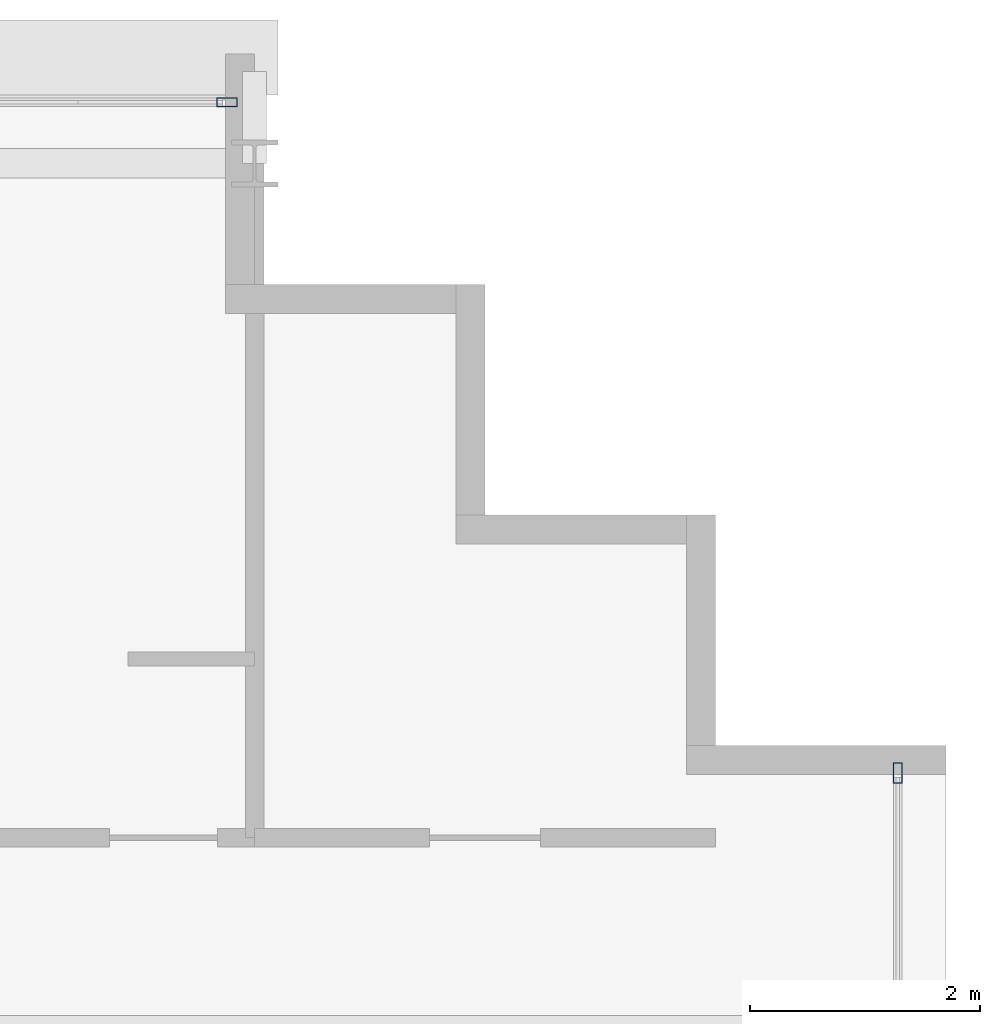
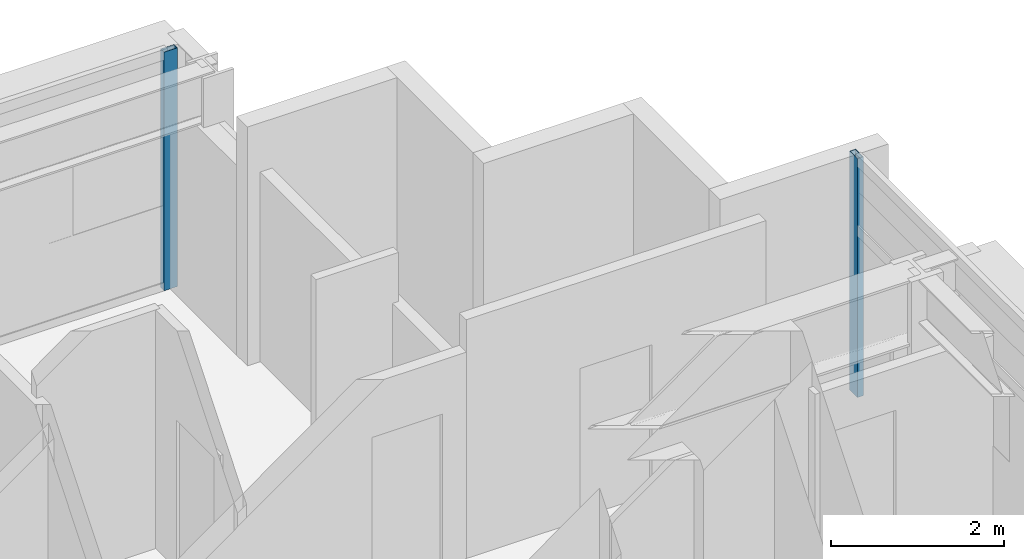
# One storey, part 19 of 31: 2 members, 2 elements without a shape of their own.
"""IFC4 building model written with IfcOpenShell, lengths in metres."""

from ifc_helpers import new_model, si_unit, direction, frame, origin, origin_2d, place, context, subcontext, project, spatial, hollow_rectangle, extrude, source, transform, mapped, material, layer, layer_set, material_profile, profile_set, type_object, element, aggregate, save


model = new_model("IFC4")

# Units and contexts
model_context = context("Model", 3, precision=1e-05, world=origin(), true_north=direction((0.0, 1.0)))
body_context = subcontext(model_context, "Body", "Model", "MODEL_VIEW")
ifc_project = project(units=[si_unit("LENGTHUNIT", "METRE"), si_unit("AREAUNIT", "SQUARE_METRE"), si_unit("VOLUMEUNIT", "CUBIC_METRE"), si_unit("PLANEANGLEUNIT", "RADIAN"), si_unit("MASSUNIT", "GRAM", prefix="KILO")], contexts=[model_context])

# Site, building, storey
site_placement = place(None, origin())
site = spatial("IfcSite", under=ifc_project, at=site_placement, CompositionType="ELEMENT")
building_placement = place(site_placement, origin())
building = spatial("IfcBuilding", under=site, at=building_placement, Name="Ocotamira Hotel", CompositionType="ELEMENT")
storey_placement = place(building_placement, frame((0.0, 0.0, 174.0)))
storey = spatial("IfcBuildingStorey", under=building, at=storey_placement, Name="L43", CompositionType="ELEMENT", Elevation=174.0)

# Curtain wall, member
ifc_material_1 = material(Name="Anodised pale-metal aluminium and solar glass", Category="aluminium")
ifc_layer = layer(ifc_material_1, 0.199951171875)
ifc_layer_set = layer_set([ifc_layer], Name="Anodised pale-metal aluminium and solar glass")
curtain_wall_type = type_object("IfcCurtainWallType", Name="CW-SYS4-Z3", PredefinedType="NOTDEFINED", material=ifc_layer_set)
curtain_wall_1_placement = place(storey_placement, origin())
curtain_wall_1 = element("IfcCurtainWall", 1, at=curtain_wall_1_placement, inside=storey, type_object=curtain_wall_type, Name="L43 Curtain Wall CW-4 CW-L43-N", PredefinedType="NOTDEFINED")
ifc_material_2 = material(Name="Anodised pale-metal aluminium 6063-T6", Category="aluminium")
ifc_material_profile = material_profile(ifc_material_2, hollow_rectangle(XDim=0.080078125, YDim=0.179931640625, WallThickness=0.006103515625, at=origin_2d()), Name="HSS180X80X6")
ifc_profile_set = profile_set([ifc_material_profile], Name="Anodised pale-metal aluminium 6063-T6")
member_type = type_object("IfcMemberType", Name="CWM-180X75", PredefinedType="MULLION", material=ifc_profile_set)
shared_shape = source(origin(), body_context, "Body", "SweptSolid", [
    extrude(hollow_rectangle(XDim=0.080078125, YDim=0.179931640625, WallThickness=0.006103515625, at=origin_2d()), origin(), (0.0, 0.0, 1.0), 3.3701171875),
])
member_1_placement = place(storey_placement, frame((49.760009765625, 45.580078125, 0.0), z_axis=(0.0, 0.0, 1.0), x_axis=(0.0, 1.0, 0.0)))
member_1 = element("IfcMember", 2, at=member_1_placement, type_object=member_type, Name="CW-4 mullion 10", PredefinedType="MULLION", context=body_context, shape_type="MappedRepresentation", body=[
    mapped(shared_shape, transform((0.0, 0.0, 0.0), scale=1.0)),
])
aggregate(curtain_wall_1, [member_1])

curtain_wall_2_placement = place(storey_placement, origin())
curtain_wall_2 = element("IfcCurtainWall", 3, at=curtain_wall_2_placement, inside=storey, type_object=curtain_wall_type, Name="L43 Curtain Wall CW-4 CW-L43-E", PredefinedType="NOTDEFINED")
member_2_placement = place(storey_placement, frame((55.580078125, 39.760009765625, 0.0), z_axis=(0.0, 0.0, 1.0), x_axis=(-1.0, 0.0, 0.0)))
member_2 = element("IfcMember", 4, at=member_2_placement, type_object=member_type, Name="CW-4 mullion 6", PredefinedType="MULLION", context=body_context, shape_type="MappedRepresentation", body=[
    mapped(shared_shape, transform((0.0, 0.0, 0.0), scale=1.0)),
])
aggregate(curtain_wall_2, [member_2])

save(model, "model.ifc")
